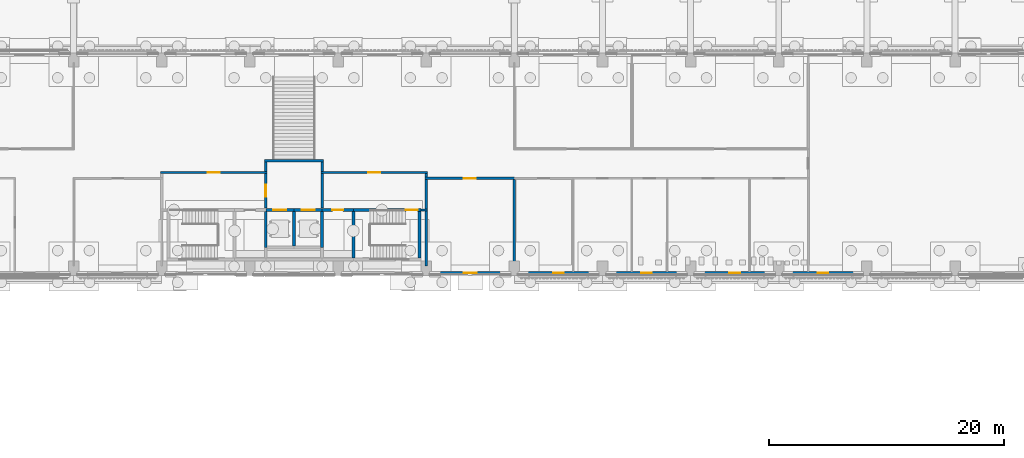
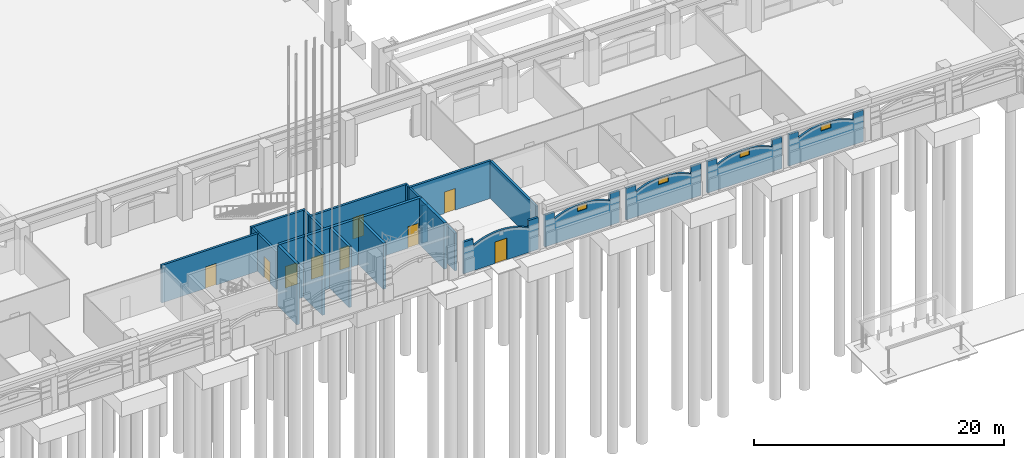
# One storey, part 35 of 99: 27 walls, 9 doors, 4 windows, 13 openings.
"""IFC4 building model written with IfcOpenShell, lengths in metres."""

from ifc_helpers import new_model, si_unit, direction, frame, frame_2d, origin, place, context, subcontext, project, spatial, polyline, rectangle, outline, extrude, material, layer, layer_set, type_object, element, fill, save


model = new_model("IFC4")

# Units and contexts
model_context = context("Model", 3, precision=1e-05, world=origin(), true_north=direction((0.0, 1.0)))
body_context = subcontext(model_context, "Body", "Model", "MODEL_VIEW")
ifc_project = project(units=[si_unit("LENGTHUNIT", "METRE"), si_unit("AREAUNIT", "SQUARE_METRE"), si_unit("VOLUMEUNIT", "CUBIC_METRE"), si_unit("PLANEANGLEUNIT", "RADIAN"), si_unit("MASSUNIT", "GRAM", prefix="KILO")], contexts=[model_context])

# Site, building, storey
site_placement = place(None, origin())
site = spatial("IfcSite", under=ifc_project, at=site_placement, CompositionType="ELEMENT")
building_placement = place(site_placement, origin())
building = spatial("IfcBuilding", under=site, at=building_placement, Name="Cour d'Honneur Mobility Palace", CompositionType="ELEMENT")
storey_placement = place(building_placement, origin())
storey = spatial("IfcBuildingStorey", under=building, at=storey_placement, Name="L00", CompositionType="ELEMENT", Elevation=0.0)

# Wall, opening, door
ifc_material_1 = material(Name="Concrete C40", Category="concrete")
ifc_layer_1 = layer(ifc_material_1, 0.199951171875)
ifc_layer_set_1 = layer_set([ifc_layer_1], Name="Concrete C40")
wall_type_1 = type_object("IfcWallType", Name="Arch infill panel", PredefinedType="SOLIDWALL", material=ifc_layer_set_1)
wall_1_placement = place(storey_placement, frame((92.699951171875, 44.449951171875, 0.0), z_axis=(0.0, 0.0, 1.0), x_axis=(1.0, 0.0, 0.0)))
wall_1 = element("IfcWall", 1, at=wall_1_placement, inside=storey, type_object=wall_type_1, Name="Arch infill panel IP-19", PredefinedType="SOLIDWALL", context=body_context, shape_type="SweptSolid", body=[
    extrude(outline(polyline([(0.0, 0.0), (6.900146484375, 0.0), (6.89990234375, 3.10009765625), (6.001953125, 3.10009765625), (6.0, 2.39990234375), (5.68115234375, 2.560302734375), (5.362548828125, 2.69482421875), (5.043701171875, 2.805908203125), (4.72509765625, 2.895263671875), (4.40625, 2.96337890625), (4.08740234375, 3.01171875), (3.768798828125, 3.04052734375), (3.449951171875, 3.050048828125), (3.13134765625, 3.04052734375), (2.8125, 3.01171875), (2.49365234375, 2.96337890625), (2.175048828125, 2.895263671875), (1.856201171875, 2.805908203125), (1.53759765625, 2.69482421875), (1.21875, 2.560302734375), (0.89990234375, 2.39990234375), (0.89794921875, 3.10009765625), (0.0, 3.10009765625), (0.0, 0.0)])), frame((0.0, 0.10009765625, 0.0), z_axis=(0.0, -1.0, 0.0), x_axis=(1.0, 0.0, 0.0)), (0.0, 0.0, 1.0), 0.199951171875),
])
opening_1_placement = place(wall_1_placement, frame((2.89990234375, 0.0, 0.0)))
opening_1 = element("IfcOpeningElement", 2, at=opening_1_placement, cuts=wall_1, Name="Opening D3-4", PredefinedType="OPENING", context=body_context, shape_type="SweptSolid", body=[
    extrude(rectangle(XDim=1.10009765625, YDim=2.10009765625, at=frame_2d((0.550048828125, 1.050048828125))), frame((0.0, 0.10986328125, 0.0), z_axis=(0.0, -1.0, 0.0), x_axis=(1.0, 0.0, 0.0)), (0.0, 0.0, 1.0), 0.219970703125),
])
ifc_material_2 = material(Name="Painted steel", Category="steel")
door_type_1 = type_object("IfcDoorType", Name="Exit door 1100", OperationType="SINGLE_SWING_LEFT", PredefinedType="DOOR", material=ifc_material_2)
door_1_placement = place(opening_1_placement, frame((1.10009765625, 0.0, 0.0), z_axis=(0.0, 0.0, 1.0), x_axis=(-1.0, 0.0, 0.0)))
door_1 = element("IfcDoor", 3, at=door_1_placement, inside=storey, type_object=door_type_1, Name="Exit door 1100 D3-4", OperationType="SINGLE_SWING_LEFT", OverallHeight=2.10009765625, OverallWidth=1.10009765625, PredefinedType="DOOR", context=body_context, shape_type="SweptSolid", body=[
    extrude(rectangle(XDim=1.10009765625, YDim=2.10009765625, at=frame_2d((0.550048828125, 1.050048828125))), frame((0.0, 0.02490234375, 0.0), z_axis=(0.0, -1.0, 0.0), x_axis=(1.0, 0.0, 0.0)), (0.0, 0.0, 1.0), 0.050048828125),
])
fill(opening_1, door_1)

# Wall, opening, window
wall_2_placement = place(storey_placement, frame((100.199951171875, 44.449951171875, 0.0), z_axis=(0.0, 0.0, 1.0), x_axis=(1.0, 0.0, 0.0)))
wall_2 = element("IfcWall", 4, at=wall_2_placement, inside=storey, type_object=wall_type_1, Name="Arch infill panel IP-20", PredefinedType="SOLIDWALL", context=body_context, shape_type="SweptSolid", body=[
    extrude(outline(polyline([(0.0, 0.0), (6.900146484375, 0.0), (6.89990234375, 3.10009765625), (6.001953125, 3.10009765625), (6.0, 2.39990234375), (5.68115234375, 2.560302734375), (5.362548828125, 2.69482421875), (5.043701171875, 2.805908203125), (4.72509765625, 2.895263671875), (4.40625, 2.96337890625), (4.08740234375, 3.01171875), (3.768798828125, 3.04052734375), (3.449951171875, 3.050048828125), (3.13134765625, 3.04052734375), (2.8125, 3.01171875), (2.49365234375, 2.96337890625), (2.175048828125, 2.895263671875), (1.856201171875, 2.805908203125), (1.53759765625, 2.69482421875), (1.21875, 2.560302734375), (0.89990234375, 2.39990234375), (0.89794921875, 3.10009765625), (0.0, 3.10009765625), (0.0, 0.0)])), frame((0.0, 0.10009765625, 0.0), z_axis=(0.0, -1.0, 0.0), x_axis=(1.0, 0.0, 0.0)), (0.0, 0.0, 1.0), 0.199951171875),
])
opening_2_placement = place(wall_2_placement, frame((3.0, 0.0, 2.39990234375)))
opening_2 = element("IfcOpeningElement", 5, at=opening_2_placement, cuts=wall_2, Name="Opening WH-14", PredefinedType="OPENING", context=body_context, shape_type="SweptSolid", body=[
    extrude(rectangle(XDim=0.89990234375, YDim=0.531005859375, at=frame_2d((0.449951171875, 0.265625))), frame((0.0, 0.10986328125, 0.0), z_axis=(0.0, -1.0, 0.0), x_axis=(1.0, 0.0, 0.0)), (0.0, 0.0, 1.0), 0.219970703125),
])
ifc_material_3 = material(Name="Aluminium frame and glass", Category="aluminium")
window_type = type_object("IfcWindowType", Name="High-level window 531", PartitioningType="SINGLE_PANEL", PredefinedType="WINDOW", material=ifc_material_3)
window_1_placement = place(opening_2_placement, origin())
window_1 = element("IfcWindow", 6, at=window_1_placement, inside=storey, type_object=window_type, Name="High-level window 531 WH-14", OverallHeight=0.531005859375, OverallWidth=0.89990234375, PartitioningType="SINGLE_PANEL", PredefinedType="WINDOW", context=body_context, shape_type="SweptSolid", body=[
    extrude(rectangle(XDim=0.89990234375, YDim=0.531005859375, at=frame_2d((0.449951171875, 0.265625))), frame((0.0, 0.030029296875, 0.0), z_axis=(0.0, -1.0, 0.0), x_axis=(1.0, 0.0, 0.0)), (0.0, 0.0, 1.0), 0.06005859375),
])
fill(opening_2, window_1)

wall_3_placement = place(storey_placement, frame((107.699951171875, 44.449951171875, 0.0), z_axis=(0.0, 0.0, 1.0), x_axis=(1.0, 0.0, 0.0)))
wall_3 = element("IfcWall", 7, at=wall_3_placement, inside=storey, type_object=wall_type_1, Name="Arch infill panel IP-21", PredefinedType="SOLIDWALL", context=body_context, shape_type="SweptSolid", body=[
    extrude(outline(polyline([(0.0, 0.0), (6.900146484375, 0.0), (6.89990234375, 3.10009765625), (6.001953125, 3.10009765625), (6.0, 2.39990234375), (5.68115234375, 2.560302734375), (5.362548828125, 2.69482421875), (5.043701171875, 2.805908203125), (4.72509765625, 2.895263671875), (4.40625, 2.96337890625), (4.08740234375, 3.01171875), (3.768798828125, 3.04052734375), (3.449951171875, 3.050048828125), (3.13134765625, 3.04052734375), (2.8125, 3.01171875), (2.49365234375, 2.96337890625), (2.175048828125, 2.895263671875), (1.856201171875, 2.805908203125), (1.53759765625, 2.69482421875), (1.21875, 2.560302734375), (0.89990234375, 2.39990234375), (0.89794921875, 3.10009765625), (0.0, 3.10009765625), (0.0, 0.0)])), frame((0.0, 0.10009765625, 0.0), z_axis=(0.0, -1.0, 0.0), x_axis=(1.0, 0.0, 0.0)), (0.0, 0.0, 1.0), 0.199951171875),
])
opening_3_placement = place(wall_3_placement, frame((3.0, 0.0, 2.39990234375)))
opening_3 = element("IfcOpeningElement", 8, at=opening_3_placement, cuts=wall_3, Name="Opening WH-15", PredefinedType="OPENING", context=body_context, shape_type="SweptSolid", body=[
    extrude(rectangle(XDim=0.89990234375, YDim=0.531005859375, at=frame_2d((0.449951171875, 0.265625))), frame((0.0, 0.10986328125, 0.0), z_axis=(0.0, -1.0, 0.0), x_axis=(1.0, 0.0, 0.0)), (0.0, 0.0, 1.0), 0.219970703125),
])
window_2_placement = place(opening_3_placement, origin())
window_2 = element("IfcWindow", 9, at=window_2_placement, inside=storey, type_object=window_type, Name="High-level window 531 WH-15", OverallHeight=0.531005859375, OverallWidth=0.89990234375, PartitioningType="SINGLE_PANEL", PredefinedType="WINDOW", context=body_context, shape_type="SweptSolid", body=[
    extrude(rectangle(XDim=0.89990234375, YDim=0.531005859375, at=frame_2d((0.449951171875, 0.265625))), frame((0.0, 0.030029296875, 0.0), z_axis=(0.0, -1.0, 0.0), x_axis=(1.0, 0.0, 0.0)), (0.0, 0.0, 1.0), 0.06005859375),
])
fill(opening_3, window_2)

wall_4_placement = place(storey_placement, frame((115.199951171875, 44.449951171875, 0.0), z_axis=(0.0, 0.0, 1.0), x_axis=(1.0, 0.0, 0.0)))
wall_4 = element("IfcWall", 10, at=wall_4_placement, inside=storey, type_object=wall_type_1, Name="Arch infill panel IP-22", PredefinedType="SOLIDWALL", context=body_context, shape_type="SweptSolid", body=[
    extrude(outline(polyline([(0.0, 0.0), (6.900146484375, 0.0), (6.89990234375, 3.10009765625), (6.001953125, 3.10009765625), (6.0, 2.39990234375), (5.68115234375, 2.560302734375), (5.362548828125, 2.69482421875), (5.043701171875, 2.805908203125), (4.72509765625, 2.895263671875), (4.40625, 2.96337890625), (4.08740234375, 3.01171875), (3.768798828125, 3.04052734375), (3.449951171875, 3.050048828125), (3.13134765625, 3.04052734375), (2.8125, 3.01171875), (2.49365234375, 2.96337890625), (2.175048828125, 2.895263671875), (1.856201171875, 2.805908203125), (1.53759765625, 2.69482421875), (1.21875, 2.560302734375), (0.89990234375, 2.39990234375), (0.89794921875, 3.10009765625), (0.0, 3.10009765625), (0.0, 0.0)])), frame((0.0, 0.10009765625, 0.0), z_axis=(0.0, -1.0, 0.0), x_axis=(1.0, 0.0, 0.0)), (0.0, 0.0, 1.0), 0.199951171875),
])
opening_4_placement = place(wall_4_placement, frame((3.0, 0.0, 2.39990234375)))
opening_4 = element("IfcOpeningElement", 11, at=opening_4_placement, cuts=wall_4, Name="Opening WH-16", PredefinedType="OPENING", context=body_context, shape_type="SweptSolid", body=[
    extrude(rectangle(XDim=0.89990234375, YDim=0.531005859375, at=frame_2d((0.449951171875, 0.265625))), frame((0.0, 0.10986328125, 0.0), z_axis=(0.0, -1.0, 0.0), x_axis=(1.0, 0.0, 0.0)), (0.0, 0.0, 1.0), 0.219970703125),
])
window_3_placement = place(opening_4_placement, origin())
window_3 = element("IfcWindow", 12, at=window_3_placement, inside=storey, type_object=window_type, Name="High-level window 531 WH-16", OverallHeight=0.531005859375, OverallWidth=0.89990234375, PartitioningType="SINGLE_PANEL", PredefinedType="WINDOW", context=body_context, shape_type="SweptSolid", body=[
    extrude(rectangle(XDim=0.89990234375, YDim=0.531005859375, at=frame_2d((0.449951171875, 0.265625))), frame((0.0, 0.030029296875, 0.0), z_axis=(0.0, -1.0, 0.0), x_axis=(1.0, 0.0, 0.0)), (0.0, 0.0, 1.0), 0.06005859375),
])
fill(opening_4, window_3)

wall_5_placement = place(storey_placement, frame((122.699951171875, 44.449951171875, 0.0), z_axis=(0.0, 0.0, 1.0), x_axis=(1.0, 0.0, 0.0)))
wall_5 = element("IfcWall", 13, at=wall_5_placement, inside=storey, type_object=wall_type_1, Name="Arch infill panel IP-23", PredefinedType="SOLIDWALL", context=body_context, shape_type="SweptSolid", body=[
    extrude(outline(polyline([(0.0, 0.0), (6.900146484375, 0.0), (6.89990234375, 3.10009765625), (6.001953125, 3.10009765625), (6.0, 2.39990234375), (5.68115234375, 2.560302734375), (5.362548828125, 2.69482421875), (5.043701171875, 2.805908203125), (4.72509765625, 2.895263671875), (4.40625, 2.96337890625), (4.08740234375, 3.01171875), (3.768798828125, 3.04052734375), (3.449951171875, 3.050048828125), (3.13134765625, 3.04052734375), (2.8125, 3.01171875), (2.49365234375, 2.96337890625), (2.175048828125, 2.895263671875), (1.856201171875, 2.805908203125), (1.53759765625, 2.69482421875), (1.21875, 2.560302734375), (0.89990234375, 2.39990234375), (0.89794921875, 3.10009765625), (0.0, 3.10009765625), (0.0, 0.0)])), frame((0.0, 0.10009765625, 0.0), z_axis=(0.0, -1.0, 0.0), x_axis=(1.0, 0.0, 0.0)), (0.0, 0.0, 1.0), 0.199951171875),
])
opening_5_placement = place(wall_5_placement, frame((3.0, 0.0, 2.39990234375)))
opening_5 = element("IfcOpeningElement", 14, at=opening_5_placement, cuts=wall_5, Name="Opening WH-17", PredefinedType="OPENING", context=body_context, shape_type="SweptSolid", body=[
    extrude(rectangle(XDim=0.89990234375, YDim=0.531005859375, at=frame_2d((0.449951171875, 0.265625))), frame((0.0, 0.10986328125, 0.0), z_axis=(0.0, -1.0, 0.0), x_axis=(1.0, 0.0, 0.0)), (0.0, 0.0, 1.0), 0.219970703125),
])
window_4_placement = place(opening_5_placement, origin())
window_4 = element("IfcWindow", 15, at=window_4_placement, inside=storey, type_object=window_type, Name="High-level window 531 WH-17", OverallHeight=0.531005859375, OverallWidth=0.89990234375, PartitioningType="SINGLE_PANEL", PredefinedType="WINDOW", context=body_context, shape_type="SweptSolid", body=[
    extrude(rectangle(XDim=0.89990234375, YDim=0.531005859375, at=frame_2d((0.449951171875, 0.265625))), frame((0.0, 0.030029296875, 0.0), z_axis=(0.0, -1.0, 0.0), x_axis=(1.0, 0.0, 0.0)), (0.0, 0.0, 1.0), 0.06005859375),
])
fill(opening_5, window_4)

# Wall, opening, door
ifc_material_4 = material(Name="Concrete C50", Category="concrete")
ifc_layer_2 = layer(ifc_material_4, 0.25)
ifc_layer_set_2 = layer_set([ifc_layer_2], Name="Concrete C50")
wall_type_2 = type_object("IfcWallType", Name="Lift shaft wall 250", PredefinedType="SHEAR", material=ifc_layer_set_2)
wall_6_placement = place(storey_placement, frame((78.75, 49.800048828125, -1.39990234375), z_axis=(0.0, 0.0, 1.0), x_axis=(1.0, 0.0, 0.0)))
wall_6 = element("IfcWall", 16, at=wall_6_placement, inside=storey, type_object=wall_type_2, Name="Lift shaft wall WL-CC10 L00", PredefinedType="SHEAR", context=body_context, shape_type="SweptSolid", body=[
    extrude(rectangle(XDim=2.39990234375, YDim=0.25, at=frame_2d((1.199951171875, 0.0))), origin(), (0.0, 0.0, 1.0), 5.89990234375),
])
opening_6_placement = place(wall_6_placement, frame((0.64990234375, 0.0, 1.39990234375)))
opening_6 = element("IfcOpeningElement", 17, at=opening_6_placement, cuts=wall_6, Name="Opening LD41", PredefinedType="OPENING", context=body_context, shape_type="SweptSolid", body=[
    extrude(rectangle(XDim=1.10009765625, YDim=2.10009765625, at=frame_2d((0.550048828125, 1.050048828125))), frame((0.0, 0.135009765625, 0.0), z_axis=(0.0, -1.0, 0.0), x_axis=(1.0, 0.0, 0.0)), (0.0, 0.0, 1.0), 0.27001953125),
])
ifc_material_5 = material(Name="Stainless steel", Category="steel")
door_type_2 = type_object("IfcDoorType", Name="Landing door 1100 x 2100", OperationType="SLIDING_TO_LEFT", PredefinedType="DOOR", material=ifc_material_5)
door_2_placement = place(opening_6_placement, origin())
door_2 = element("IfcDoor", 18, at=door_2_placement, inside=storey, type_object=door_type_2, Name="Landing door LF-CC1 L00", OperationType="SLIDING_TO_LEFT", OverallHeight=2.10009765625, OverallWidth=1.10009765625, PredefinedType="DOOR", context=body_context, shape_type="SweptSolid", body=[
    extrude(rectangle(XDim=1.10009765625, YDim=2.10009765625, at=frame_2d((0.550048828125, 1.050048828125))), frame((0.0, 0.02490234375, 0.0), z_axis=(0.0, -1.0, 0.0), x_axis=(1.0, 0.0, 0.0)), (0.0, 0.0, 1.0), 0.050048828125),
])
fill(opening_6, door_2)

wall_7_placement = place(storey_placement, frame((81.14990234375, 49.800048828125, -1.39990234375), z_axis=(0.0, 0.0, 1.0), x_axis=(1.0, 0.0, 0.0)))
wall_7 = element("IfcWall", 19, at=wall_7_placement, inside=storey, type_object=wall_type_2, Name="Lift shaft wall WL-CC11 L00", PredefinedType="SHEAR", context=body_context, shape_type="SweptSolid", body=[
    extrude(rectangle(XDim=2.400146484375, YDim=0.25, at=frame_2d((1.2001953125, 0.0))), origin(), (0.0, 0.0, 1.0), 5.89990234375),
])
opening_7_placement = place(wall_7_placement, frame((0.64990234375, 0.0, 1.39990234375)))
opening_7 = element("IfcOpeningElement", 20, at=opening_7_placement, cuts=wall_7, Name="Opening LD47", PredefinedType="OPENING", context=body_context, shape_type="SweptSolid", body=[
    extrude(rectangle(XDim=1.10009765625, YDim=2.10009765625, at=frame_2d((0.550048828125, 1.050048828125))), frame((0.0, 0.135009765625, 0.0), z_axis=(0.0, -1.0, 0.0), x_axis=(1.0, 0.0, 0.0)), (0.0, 0.0, 1.0), 0.27001953125),
])
door_3_placement = place(opening_7_placement, origin())
door_3 = element("IfcDoor", 21, at=door_3_placement, inside=storey, type_object=door_type_2, Name="Landing door LF-CC2 L00", OperationType="SLIDING_TO_LEFT", OverallHeight=2.10009765625, OverallWidth=1.10009765625, PredefinedType="DOOR", context=body_context, shape_type="SweptSolid", body=[
    extrude(rectangle(XDim=1.10009765625, YDim=2.10009765625, at=frame_2d((0.550048828125, 1.050048828125))), frame((0.0, 0.02490234375, 0.0), z_axis=(0.0, -1.0, 0.0), x_axis=(1.0, 0.0, 0.0)), (0.0, 0.0, 1.0), 0.050048828125),
])
fill(opening_7, door_3)

# Walls
wall_8_placement = place(storey_placement, frame((78.75, 46.60009765625, -1.39990234375), z_axis=(0.0, 0.0, 1.0), x_axis=(0.0, 1.0, 0.0)))
element("IfcWall", 22, at=wall_8_placement, inside=storey, type_object=wall_type_2, Name="Lift shaft wall WL-CC17 L00", PredefinedType="SHEAR", context=body_context, shape_type="SweptSolid", body=[
    extrude(rectangle(XDim=3.074951171875, YDim=0.25, at=frame_2d((1.53759765625, 0.0))), origin(), (0.0, 0.0, 1.0), 5.89990234375),
])
wall_9_placement = place(storey_placement, frame((81.14990234375, 46.72509765625, -1.39990234375), z_axis=(0.0, 0.0, 1.0), x_axis=(0.0, 1.0, 0.0)))
element("IfcWall", 23, at=wall_9_placement, inside=storey, type_object=wall_type_2, Name="Lift shaft wall WL-CC18 L00", PredefinedType="SHEAR", context=body_context, shape_type="SweptSolid", body=[
    extrude(rectangle(XDim=2.949951171875, YDim=0.25, at=frame_2d((1.47509765625, 0.0))), origin(), (0.0, 0.0, 1.0), 5.89990234375),
])
wall_10_placement = place(storey_placement, frame((83.550048828125, 46.60009765625, -1.39990234375), z_axis=(0.0, 0.0, 1.0), x_axis=(0.0, 1.0, 0.0)))
element("IfcWall", 24, at=wall_10_placement, inside=storey, type_object=wall_type_2, Name="Lift shaft wall WL-CC20 L00", PredefinedType="SHEAR", context=body_context, shape_type="SweptSolid", body=[
    extrude(rectangle(XDim=3.074951171875, YDim=0.25, at=frame_2d((1.53759765625, 0.0))), origin(), (0.0, 0.0, 1.0), 5.89990234375),
])
ifc_material_6 = material(Name="Gypsum plasterboard")
ifc_layer_3 = layer(ifc_material_6, 0.199951171875)
ifc_layer_set_3 = layer_set([ifc_layer_3], Name="Gypsum plasterboard")
wall_type_3 = type_object("IfcWallType", Name="Partition 200 rated EI 120", PredefinedType="PARTITIONING", material=ifc_layer_set_3)
wall_11_placement = place(storey_placement, frame((99.89990234375, 45.06005859375, 0.0), z_axis=(0.0, 0.0, 1.0), x_axis=(0.0, 1.0, 0.0)))
element("IfcWall", 25, at=wall_11_placement, inside=storey, type_object=wall_type_3, Name="Partition 036", PredefinedType="PARTITIONING", context=body_context, shape_type="SweptSolid", body=[
    extrude(rectangle(XDim=7.33984375, YDim=0.199951171875, at=frame_2d((3.669921875, 0.0))), origin(), (0.0, 0.0, 1.0), 3.679931640625),
])
wall_12_placement = place(storey_placement, frame((91.949951171875, 49.800048828125, 0.0), z_axis=(0.0, 0.0, 1.0), x_axis=(1.0, 0.0, 0.0)))
element("IfcWall", 26, at=wall_12_placement, inside=storey, type_object=wall_type_3, Name="Partition 043", PredefinedType="PARTITIONING", context=body_context, shape_type="SweptSolid", body=[
    extrude(rectangle(XDim=0.550048828125, YDim=0.199951171875, at=frame_2d((0.27490234375, 0.0))), origin(), (0.0, 0.0, 1.0), 3.679931640625),
])
wall_13_placement = place(storey_placement, frame((92.39990234375, 49.699951171875, 0.0), z_axis=(0.0, 0.0, 1.0), x_axis=(0.0, -1.0, 0.0)))
element("IfcWall", 27, at=wall_13_placement, inside=storey, type_object=wall_type_3, Name="Partition 044", PredefinedType="PARTITIONING", context=body_context, shape_type="SweptSolid", body=[
    extrude(rectangle(XDim=4.639892578125, YDim=0.199951171875, at=frame_2d((2.31982421875, 0.0))), origin(), (0.0, 0.0, 1.0), 3.679931640625),
])
wall_14_placement = place(storey_placement, frame((92.39990234375, 49.89990234375, 0.0), z_axis=(0.0, 0.0, 1.0), x_axis=(0.0, 1.0, 0.0)))
element("IfcWall", 28, at=wall_14_placement, inside=storey, type_object=wall_type_3, Name="Partition 045", PredefinedType="PARTITIONING", context=body_context, shape_type="SweptSolid", body=[
    extrude(rectangle(XDim=2.5, YDim=0.199951171875, at=frame_2d((1.25, 0.0))), origin(), (0.0, 0.0, 1.0), 3.679931640625),
])

# Wall, opening, door
wall_15_placement = place(storey_placement, frame((78.75, 49.97509765625, 0.0), z_axis=(0.0, 0.0, 1.0), x_axis=(0.0, 1.0, 0.0)))
wall_15 = element("IfcWall", 29, at=wall_15_placement, inside=storey, type_object=wall_type_3, Name="Partition 046", PredefinedType="PARTITIONING", context=body_context, shape_type="SweptSolid", body=[
    extrude(rectangle(XDim=2.9248046875, YDim=0.199951171875, at=frame_2d((1.46240234375, 0.0))), origin(), (0.0, 0.0, 1.0), 3.679931640625),
])
opening_8_placement = place(wall_15_placement, frame((0.96240234375, 0.0, 0.0)))
opening_8 = element("IfcOpeningElement", 30, at=opening_8_placement, cuts=wall_15, Name="Opening D0005", PredefinedType="OPENING", context=body_context, shape_type="SweptSolid", body=[
    extrude(rectangle(XDim=1.0, YDim=2.10009765625, at=frame_2d((0.5, 1.050048828125))), frame((0.0, 0.10986328125, 0.0), z_axis=(0.0, -1.0, 0.0), x_axis=(1.0, 0.0, 0.0)), (0.0, 0.0, 1.0), 0.219970703125),
])
ifc_material_7 = material(Name="Galvanised steel", Category="steel")
door_type_3 = type_object("IfcDoorType", Name="Fire door FD120 1000 x 2100", OperationType="SINGLE_SWING_LEFT", PredefinedType="DOOR", material=ifc_material_7)
door_4_placement = place(opening_8_placement, origin())
door_4 = element("IfcDoor", 31, at=door_4_placement, inside=storey, type_object=door_type_3, Name="Door Lift Lobby CC", OperationType="SINGLE_SWING_RIGHT", OverallHeight=2.10009765625, OverallWidth=1.0, PredefinedType="DOOR", context=body_context, shape_type="SweptSolid", body=[
    extrude(rectangle(XDim=1.0, YDim=2.10009765625, at=frame_2d((0.5, 1.050048828125))), frame((0.0, 0.02490234375, 0.0), z_axis=(0.0, -1.0, 0.0), x_axis=(1.0, 0.0, 0.0)), (0.0, 0.0, 1.0), 0.050048828125),
])
fill(opening_8, door_4)

# Walls
wall_16_placement = place(storey_placement, frame((83.550048828125, 49.97509765625, 0.0), z_axis=(0.0, 0.0, 1.0), x_axis=(0.0, 1.0, 0.0)))
element("IfcWall", 32, at=wall_16_placement, inside=storey, type_object=wall_type_3, Name="Partition 047", PredefinedType="PARTITIONING", context=body_context, shape_type="SweptSolid", body=[
    extrude(rectangle(XDim=2.9248046875, YDim=0.199951171875, at=frame_2d((1.46240234375, 0.0))), origin(), (0.0, 0.0, 1.0), 3.679931640625),
])
wall_17_placement = place(storey_placement, frame((92.39990234375, 52.60009765625, 0.0), z_axis=(0.0, 0.0, 1.0), x_axis=(0.0, 1.0, 0.0)))
element("IfcWall", 33, at=wall_17_placement, inside=storey, type_object=wall_type_3, Name="Partition 056", PredefinedType="PARTITIONING", context=body_context, shape_type="SweptSolid", body=[
    extrude(rectangle(XDim=0.2998046875, YDim=0.199951171875, at=frame_2d((0.14990234375, 0.0))), origin(), (0.0, 0.0, 1.0), 3.679931640625),
])

# Wall, opening, door
wall_18_placement = place(storey_placement, frame((99.89990234375, 52.5, 0.0), z_axis=(0.0, 0.0, 1.0), x_axis=(-1.0, 0.0, 0.0)))
wall_18 = element("IfcWall", 34, at=wall_18_placement, inside=storey, type_object=wall_type_3, Name="Partition 057", PredefinedType="PARTITIONING", context=body_context, shape_type="SweptSolid", body=[
    extrude(rectangle(XDim=7.599853515625, YDim=0.199951171875, at=frame_2d((3.7998046875, 0.0))), origin(), (0.0, 0.0, 1.0), 3.679931640625),
])
opening_9_placement = place(wall_18_placement, frame((3.300048828125, 0.0, 0.0)))
opening_9 = element("IfcOpeningElement", 35, at=opening_9_placement, cuts=wall_18, Name="Opening D0022", PredefinedType="OPENING", context=body_context, shape_type="SweptSolid", body=[
    extrude(rectangle(XDim=1.0, YDim=2.10009765625, at=frame_2d((0.5, 1.050048828125))), frame((0.0, 0.10986328125, 0.0), z_axis=(0.0, -1.0, 0.0), x_axis=(1.0, 0.0, 0.0)), (0.0, 0.0, 1.0), 0.219970703125),
])
door_5_placement = place(opening_9_placement, origin())
door_5 = element("IfcDoor", 36, at=door_5_placement, inside=storey, type_object=door_type_3, Name="Door Fire Command Centre", OperationType="SINGLE_SWING_LEFT", OverallHeight=2.10009765625, OverallWidth=1.0, PredefinedType="DOOR", context=body_context, shape_type="SweptSolid", body=[
    extrude(rectangle(XDim=1.0, YDim=2.10009765625, at=frame_2d((0.5, 1.050048828125))), frame((0.0, 0.02490234375, 0.0), z_axis=(0.0, -1.0, 0.0), x_axis=(1.0, 0.0, 0.0)), (0.0, 0.0, 1.0), 0.050048828125),
])
fill(opening_9, door_5)

wall_19_placement = place(storey_placement, frame((78.85009765625, 53.0, 0.0), z_axis=(0.0, 0.0, 1.0), x_axis=(-1.0, 0.0, 0.0)))
wall_19 = element("IfcWall", 37, at=wall_19_placement, inside=storey, type_object=wall_type_3, Name="Partition 068", PredefinedType="PARTITIONING", context=body_context, shape_type="SweptSolid", body=[
    extrude(rectangle(XDim=9.050048828125, YDim=0.199951171875, at=frame_2d((4.52490234375, 0.0))), origin(), (0.0, 0.0, 1.0), 3.679931640625),
])
opening_10_placement = place(wall_19_placement, frame((4.02490234375, 0.0, 0.0)))
opening_10 = element("IfcOpeningElement", 38, at=opening_10_placement, cuts=wall_19, Name="Opening D0004", PredefinedType="OPENING", context=body_context, shape_type="SweptSolid", body=[
    extrude(rectangle(XDim=1.0, YDim=2.10009765625, at=frame_2d((0.5, 1.050048828125))), frame((0.0, 0.10986328125, 0.0), z_axis=(0.0, -1.0, 0.0), x_axis=(1.0, 0.0, 0.0)), (0.0, 0.0, 1.0), 0.219970703125),
])
door_6_placement = place(opening_10_placement, origin())
door_6 = element("IfcDoor", 39, at=door_6_placement, inside=storey, type_object=door_type_3, Name="Door Stair Lobby CC West", OperationType="SINGLE_SWING_LEFT", OverallHeight=2.10009765625, OverallWidth=1.0, PredefinedType="DOOR", context=body_context, shape_type="SweptSolid", body=[
    extrude(rectangle(XDim=1.0, YDim=2.10009765625, at=frame_2d((0.5, 1.050048828125))), frame((0.0, 0.02490234375, 0.0), z_axis=(0.0, -1.0, 0.0), x_axis=(1.0, 0.0, 0.0)), (0.0, 0.0, 1.0), 0.050048828125),
])
fill(opening_10, door_6)

# Wall
wall_20_placement = place(storey_placement, frame((83.550048828125, 53.10009765625, 0.0), z_axis=(0.0, 0.0, 1.0), x_axis=(0.0, 1.0, 0.0)))
element("IfcWall", 40, at=wall_20_placement, inside=storey, type_object=wall_type_3, Name="Partition 069", PredefinedType="PARTITIONING", context=body_context, shape_type="SweptSolid", body=[
    extrude(rectangle(XDim=0.7998046875, YDim=0.199951171875, at=frame_2d((0.39990234375, 0.0))), origin(), (0.0, 0.0, 1.0), 3.679931640625),
])

# Wall, opening, door
wall_21_placement = place(storey_placement, frame((92.5, 53.0, 0.0), z_axis=(0.0, 0.0, 1.0), x_axis=(-1.0, 0.0, 0.0)))
wall_21 = element("IfcWall", 41, at=wall_21_placement, inside=storey, type_object=wall_type_3, Name="Partition 070", PredefinedType="PARTITIONING", context=body_context, shape_type="SweptSolid", body=[
    extrude(rectangle(XDim=9.050048828125, YDim=0.199951171875, at=frame_2d((4.52490234375, 0.0))), origin(), (0.0, 0.0, 1.0), 3.679931640625),
])
opening_11_placement = place(wall_21_placement, frame((4.02490234375, 0.0, 0.0)))
opening_11 = element("IfcOpeningElement", 42, at=opening_11_placement, cuts=wall_21, Name="Opening D0006", PredefinedType="OPENING", context=body_context, shape_type="SweptSolid", body=[
    extrude(rectangle(XDim=1.0, YDim=2.10009765625, at=frame_2d((0.5, 1.050048828125))), frame((0.0, 0.10986328125, 0.0), z_axis=(0.0, -1.0, 0.0), x_axis=(1.0, 0.0, 0.0)), (0.0, 0.0, 1.0), 0.219970703125),
])
door_7_placement = place(opening_11_placement, origin())
door_7 = element("IfcDoor", 43, at=door_7_placement, inside=storey, type_object=door_type_3, Name="Door Stair Lobby CC East", OperationType="SINGLE_SWING_RIGHT", OverallHeight=2.10009765625, OverallWidth=1.0, PredefinedType="DOOR", context=body_context, shape_type="SweptSolid", body=[
    extrude(rectangle(XDim=1.0, YDim=2.10009765625, at=frame_2d((0.5, 1.050048828125))), frame((0.0, 0.02490234375, 0.0), z_axis=(0.0, -1.0, 0.0), x_axis=(1.0, 0.0, 0.0)), (0.0, 0.0, 1.0), 0.050048828125),
])
fill(opening_11, door_7)

# Walls
wall_22_placement = place(storey_placement, frame((78.75, 53.89990234375, 0.0), z_axis=(0.0, 0.0, 1.0), x_axis=(0.0, -1.0, 0.0)))
element("IfcWall", 44, at=wall_22_placement, inside=storey, type_object=wall_type_3, Name="Partition 074", PredefinedType="PARTITIONING", context=body_context, shape_type="SweptSolid", body=[
    extrude(rectangle(XDim=0.7998046875, YDim=0.199951171875, at=frame_2d((0.39990234375, 0.0))), origin(), (0.0, 0.0, 1.0), 3.679931640625),
])
wall_23_placement = place(storey_placement, frame((83.64990234375, 54.0, 0.0), z_axis=(0.0, 0.0, 1.0), x_axis=(-1.0, 0.0, 0.0)))
element("IfcWall", 45, at=wall_23_placement, inside=storey, type_object=wall_type_3, Name="Partition 075", PredefinedType="PARTITIONING", context=body_context, shape_type="SweptSolid", body=[
    extrude(rectangle(XDim=5.0, YDim=0.199951171875, at=frame_2d((2.5, 0.0))), origin(), (0.0, 0.0, 1.0), 3.679931640625),
])

# Wall, opening, door
ifc_material_8 = material(Name="Concrete C50", Category="concrete")
ifc_layer_4 = layer(ifc_material_8, 0.25)
ifc_layer_set_4 = layer_set([ifc_layer_4], Name="Concrete C50")
wall_type_4 = type_object("IfcWallType", Name="Shaft wall 250", PredefinedType="SHEAR", material=ifc_layer_set_4)
wall_24_placement = place(storey_placement, frame((83.550048828125, 49.800048828125, 0.0), z_axis=(0.0, 0.0, 1.0), x_axis=(1.0, 0.0, 0.0)))
wall_24 = element("IfcWall", 46, at=wall_24_placement, inside=storey, type_object=wall_type_4, Name="Shaft wall WR-CC12 L00", PredefinedType="SHEAR", context=body_context, shape_type="SweptSolid", body=[
    extrude(rectangle(XDim=2.64990234375, YDim=0.25, at=frame_2d((1.324951171875, 0.0))), origin(), (0.0, 0.0, 1.0), 4.5),
])
opening_12_placement = place(wall_24_placement, frame((0.875, 0.0, 0.0)))
opening_12 = element("IfcOpeningElement", 47, at=opening_12_placement, cuts=wall_24, Name="Opening R7", PredefinedType="OPENING", context=body_context, shape_type="SweptSolid", body=[
    extrude(rectangle(XDim=0.89990234375, YDim=2.10009765625, at=frame_2d((0.449951171875, 1.050048828125))), frame((0.0, 0.135009765625, 0.0), z_axis=(0.0, -1.0, 0.0), x_axis=(1.0, 0.0, 0.0)), (0.0, 0.0, 1.0), 0.27001953125),
])
ifc_material_9 = material(Name="Galvanised steel", Category="steel")
door_type_4 = type_object("IfcDoorType", Name="Riser door FD120 900 x 2100", OperationType="SINGLE_SWING_LEFT", PredefinedType="DOOR", material=ifc_material_9)
door_8_placement = place(opening_12_placement, origin())
door_8 = element("IfcDoor", 48, at=door_8_placement, inside=storey, type_object=door_type_4, Name="Riser door CC.R2 L00", OperationType="SINGLE_SWING_LEFT", OverallHeight=2.10009765625, OverallWidth=0.89990234375, PredefinedType="DOOR", context=body_context, shape_type="SweptSolid", body=[
    extrude(rectangle(XDim=0.89990234375, YDim=2.10009765625, at=frame_2d((0.449951171875, 1.050048828125))), frame((0.0, 0.02490234375, 0.0), z_axis=(0.0, -1.0, 0.0), x_axis=(1.0, 0.0, 0.0)), (0.0, 0.0, 1.0), 0.050048828125),
])
fill(opening_12, door_8)

ifc_material_10 = material(Name="Concrete C50", Category="concrete")
ifc_layer_5 = layer(ifc_material_10, 0.25)
ifc_layer_set_5 = layer_set([ifc_layer_5], Name="Concrete C50")
wall_type_5 = type_object("IfcWallType", Name="Stair wall 250", PredefinedType="SHEAR", material=ifc_layer_set_5)
wall_25_placement = place(storey_placement, frame((86.199951171875, 49.800048828125, 0.0), z_axis=(0.0, 0.0, 1.0), x_axis=(1.0, 0.0, 0.0)))
wall_25 = element("IfcWall", 49, at=wall_25_placement, inside=storey, type_object=wall_type_5, Name="Stair wall WS-CC13 L00", PredefinedType="SHEAR", context=body_context, shape_type="SweptSolid", body=[
    extrude(rectangle(XDim=5.75, YDim=0.25, at=frame_2d((2.875, 0.0))), origin(), (0.0, 0.0, 1.0), 4.5),
])
opening_13_placement = place(wall_25_placement, frame((4.47509765625, 0.0, 0.0)))
opening_13 = element("IfcOpeningElement", 50, at=opening_13_placement, cuts=wall_25, Name="Opening S91", PredefinedType="OPENING", context=body_context, shape_type="SweptSolid", body=[
    extrude(rectangle(XDim=1.0, YDim=2.10009765625, at=frame_2d((0.5, 1.050048828125))), frame((0.0, 0.135009765625, 0.0), z_axis=(0.0, -1.0, 0.0), x_axis=(1.0, 0.0, 0.0)), (0.0, 0.0, 1.0), 0.27001953125),
])
ifc_material_11 = material(Name="Galvanised steel", Category="steel")
door_type_5 = type_object("IfcDoorType", Name="Fire door FD120 stair 1000 x 2100", OperationType="SINGLE_SWING_LEFT", PredefinedType="DOOR", material=ifc_material_11)
door_9_placement = place(opening_13_placement, origin())
door_9 = element("IfcDoor", 51, at=door_9_placement, inside=storey, type_object=door_type_5, Name="Stair door ST-CC2 L00", OperationType="SINGLE_SWING_RIGHT", OverallHeight=2.10009765625, OverallWidth=1.0, PredefinedType="DOOR", context=body_context, shape_type="SweptSolid", body=[
    extrude(rectangle(XDim=1.0, YDim=2.10009765625, at=frame_2d((0.5, 1.050048828125))), frame((0.0, 0.02490234375, 0.0), z_axis=(0.0, -1.0, 0.0), x_axis=(1.0, 0.0, 0.0)), (0.0, 0.0, 1.0), 0.050048828125),
])
fill(opening_13, door_9)

# Walls
for number, where, z_axis, x_axis, name in (
    (52, (86.199951171875, 45.699951171875, 0.0), (0.0, 0.0, 1.0), (0.0, 1.0, 0.0), "Stair wall WS-CC21 L00"),
    (53, (91.824951171875, 45.699951171875, 0.0), (0.0, 0.0, 1.0), (0.0, 1.0, 0.0), "Stair wall WS-CC22 L00"),
):
    element("IfcWall", number, at=place(storey_placement, frame(where, z_axis=z_axis, x_axis=x_axis)), inside=storey, type_object=wall_type_5, Name=name, PredefinedType="SHEAR", context=body_context, shape_type="SweptSolid", body=[
        extrude(rectangle(XDim=3.97509765625, YDim=0.25, at=frame_2d((1.987548828125, 0.0))), origin(), (0.0, 0.0, 1.0), 4.5),
    ])

save(model, "model.ifc")
